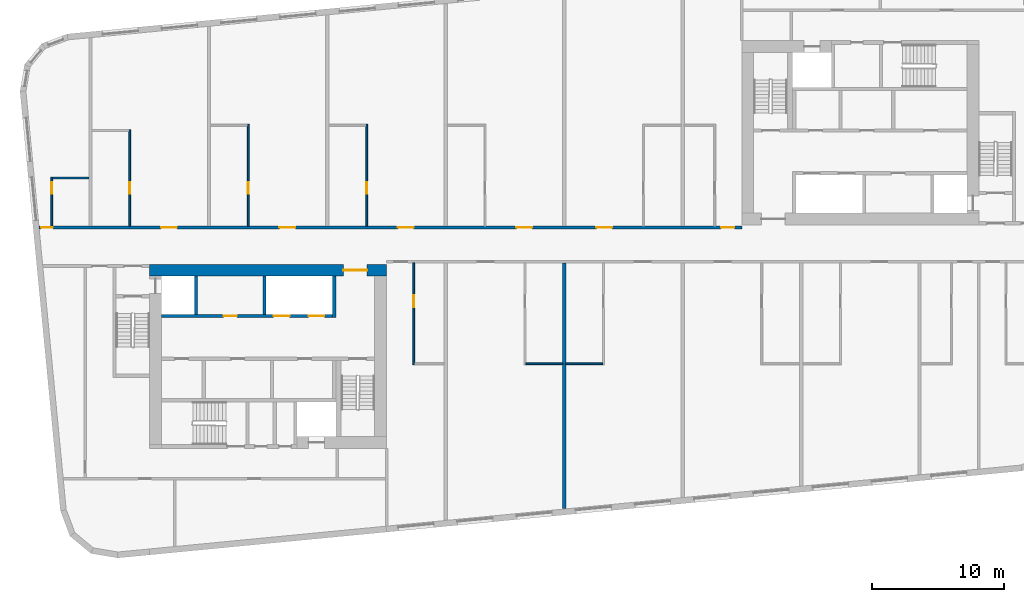
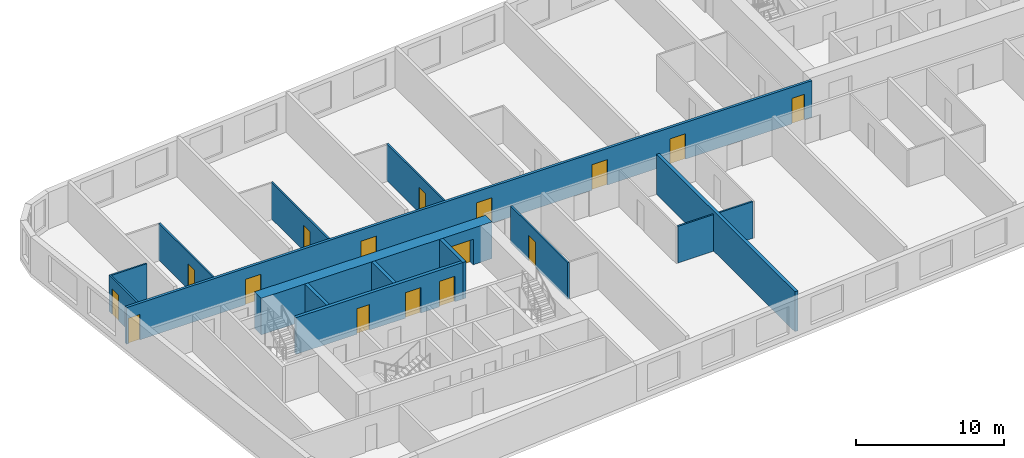
# One storey, part 3 of 11: 16 doors, 15 walls, 16 openings.
"""IFC4 building model written with IfcOpenShell, lengths in metres."""

from ifc_helpers import new_model, si_unit, direction, frame, frame_2d, origin, place, context, subcontext, project, spatial, rectangle, extrude, material, layer, layer_set, type_object, element, fill, save


model = new_model("IFC4")

# Units and contexts
model_context = context("Model", 3, precision=1e-05, world=origin(), true_north=direction((0.0, 1.0)))
body_context = subcontext(model_context, "Body", "Model", "MODEL_VIEW")
ifc_project = project(units=[si_unit("LENGTHUNIT", "METRE"), si_unit("AREAUNIT", "SQUARE_METRE"), si_unit("VOLUMEUNIT", "CUBIC_METRE"), si_unit("PLANEANGLEUNIT", "RADIAN"), si_unit("MASSUNIT", "GRAM", prefix="KILO")], contexts=[model_context])

# Site, building, storey
site_placement = place(None, origin())
site = spatial("IfcSite", under=ifc_project, at=site_placement, CompositionType="ELEMENT")
building_placement = place(site_placement, origin())
building = spatial("IfcBuilding", under=site, at=building_placement, Name="Kajstack Hotel Tower", CompositionType="ELEMENT")
storey_placement = place(building_placement, frame((0.0, 0.0, 275.10009765625)))
storey = spatial("IfcBuildingStorey", under=building, at=storey_placement, Name="L68", CompositionType="ELEMENT", Elevation=275.10009765625)

# Wall, opening, door
ifc_material_1 = material(Name="Concrete C60/75", Category="concrete")
ifc_layer_1 = layer(ifc_material_1, 0.89990234375)
ifc_layer_set_1 = layer_set([ifc_layer_1], Name="Core wall 900")
wall_type_1 = type_object("IfcWallType", Name="Core wall 900", PredefinedType="SHEAR", material=ifc_layer_set_1)
wall_1_placement = place(storey_placement, frame((-31.5, -1.949951171875, 0.0), z_axis=(0.0, 0.0, 1.0), x_axis=(1.0, 0.0, 0.0)))
wall_1 = element("IfcWall", 1, at=wall_1_placement, inside=storey, type_object=wall_type_1, Name="Core wall W RN", PredefinedType="SHEAR", context=body_context, shape_type="SweptSolid", body=[
    extrude(rectangle(XDim=18.0, YDim=0.89990234375, at=frame_2d((9.0, 0.0))), origin(), (0.0, 0.0, 1.0), 3.02001953125),
])
opening_1_placement = place(wall_1_placement, frame((14.72509765625, 0.0, 0.0)))
opening_1 = element("IfcOpeningElement", 2, at=opening_1_placement, cuts=wall_1, Name="Opening 68W05", PredefinedType="OPENING", context=body_context, shape_type="SweptSolid", body=[
    extrude(rectangle(XDim=1.800048828125, YDim=2.10009765625, at=frame_2d((0.89990234375, 1.050048828125))), frame((0.0, 0.4599609375, 0.0), z_axis=(0.0, -1.0, 0.0), x_axis=(1.0, 0.0, 0.0)), (0.0, 0.0, 1.0), 0.919921875),
])
ifc_material_2 = material(Name="Glazed steel frame, fire-rated glass", Category="steel")
door_type_1 = type_object("IfcDoorType", Name="Lobby double door 1800", OperationType="DOUBLE_DOOR_DOUBLE_SWING", PredefinedType="DOOR", material=ifc_material_2)
door_1_placement = place(opening_1_placement, origin())
door_1 = element("IfcDoor", 3, at=door_1_placement, inside=storey, type_object=door_type_1, Name="Door 68W05", OperationType="DOUBLE_DOOR_DOUBLE_SWING", OverallHeight=2.10009765625, OverallWidth=1.800048828125, PredefinedType="DOOR", context=body_context, shape_type="SweptSolid", body=[
    extrude(rectangle(XDim=1.800048828125, YDim=2.10009765625, at=frame_2d((0.89990234375, 1.050048828125))), frame((0.0, 0.02490234375, 0.0), z_axis=(0.0, -1.0, 0.0), x_axis=(1.0, 0.0, 0.0)), (0.0, 0.0, 1.0), 0.050048828125),
])
fill(opening_1, door_1)

# Wall, openings, doors
ifc_material_3 = material(Name="Gypsum board on steel studs, mineral wool", Category="steel")
ifc_layer_2 = layer(ifc_material_3, 0.199951171875)
ifc_layer_set_2 = layer_set([ifc_layer_2], Name="Corridor wall 200")
wall_type_2 = type_object("IfcWallType", Name="Corridor wall 200", PredefinedType="PARTITIONING", material=ifc_layer_set_2)
wall_2_placement = place(storey_placement, frame((-39.908935546875, 1.300048828125, 0.0), z_axis=(0.0, 0.0, 1.0), x_axis=(1.0, 0.0, 0.0)))
wall_2 = element("IfcWall", 4, at=wall_2_placement, inside=storey, type_object=wall_type_2, Name="G-wall-L68-003", PredefinedType="PARTITIONING", context=body_context, shape_type="SweptSolid", body=[
    extrude(rectangle(XDim=53.408935546875, YDim=0.199951171875, at=frame_2d((26.70458984375, 0.0))), origin(), (0.0, 0.0, 1.0), 3.02001953125),
])
opening_2_placement = place(wall_2_placement, frame((0.14990234375, 0.0, 0.0)))
opening_2 = element("IfcOpeningElement", 5, at=opening_2_placement, cuts=wall_2, Name="Opening 68001", PredefinedType="OPENING", context=body_context, shape_type="SweptSolid", body=[
    extrude(rectangle(XDim=0.89990234375, YDim=2.10009765625, at=frame_2d((0.449951171875, 1.050048828125))), frame((0.0, 0.10986328125, 0.0), z_axis=(0.0, -1.0, 0.0), x_axis=(1.0, 0.0, 0.0)), (0.0, 0.0, 1.0), 0.219970703125),
])
opening_3_placement = place(wall_2_placement, frame((9.27099609375, 0.0, 0.0)))
opening_3 = element("IfcOpeningElement", 6, at=opening_3_placement, cuts=wall_2, Name="Opening 68003", PredefinedType="OPENING", context=body_context, shape_type="SweptSolid", body=[
    extrude(rectangle(XDim=1.199951171875, YDim=2.10009765625, at=frame_2d((0.60009765625, 1.050048828125))), frame((0.0, 0.10986328125, 0.0), z_axis=(0.0, -1.0, 0.0), x_axis=(1.0, 0.0, 0.0)), (0.0, 0.0, 1.0), 0.219970703125),
])
opening_4_placement = place(wall_2_placement, frame((18.27099609375, 0.0, 0.0)))
opening_4 = element("IfcOpeningElement", 7, at=opening_4_placement, cuts=wall_2, Name="Opening 68005", PredefinedType="OPENING", context=body_context, shape_type="SweptSolid", body=[
    extrude(rectangle(XDim=1.199951171875, YDim=2.10009765625, at=frame_2d((0.60009765625, 1.050048828125))), frame((0.0, 0.10986328125, 0.0), z_axis=(0.0, -1.0, 0.0), x_axis=(1.0, 0.0, 0.0)), (0.0, 0.0, 1.0), 0.219970703125),
])
opening_5_placement = place(wall_2_placement, frame((27.27099609375, 0.0, 0.0)))
opening_5 = element("IfcOpeningElement", 8, at=opening_5_placement, cuts=wall_2, Name="Opening 68007", PredefinedType="OPENING", context=body_context, shape_type="SweptSolid", body=[
    extrude(rectangle(XDim=1.199951171875, YDim=2.10009765625, at=frame_2d((0.60009765625, 1.050048828125))), frame((0.0, 0.10986328125, 0.0), z_axis=(0.0, -1.0, 0.0), x_axis=(1.0, 0.0, 0.0)), (0.0, 0.0, 1.0), 0.219970703125),
])
opening_6_placement = place(wall_2_placement, frame((36.27099609375, 0.0, 0.0)))
opening_6 = element("IfcOpeningElement", 9, at=opening_6_placement, cuts=wall_2, Name="Opening 68009", PredefinedType="OPENING", context=body_context, shape_type="SweptSolid", body=[
    extrude(rectangle(XDim=1.199951171875, YDim=2.10009765625, at=frame_2d((0.60009765625, 1.050048828125))), frame((0.0, 0.10986328125, 0.0), z_axis=(0.0, -1.0, 0.0), x_axis=(1.0, 0.0, 0.0)), (0.0, 0.0, 1.0), 0.219970703125),
])
opening_7_placement = place(wall_2_placement, frame((42.345947265625, 0.0, 0.0)))
opening_7 = element("IfcOpeningElement", 10, at=opening_7_placement, cuts=wall_2, Name="Opening 68011", PredefinedType="OPENING", context=body_context, shape_type="SweptSolid", body=[
    extrude(rectangle(XDim=1.199951171875, YDim=2.10009765625, at=frame_2d((0.60009765625, 1.050048828125))), frame((0.0, 0.10986328125, 0.0), z_axis=(0.0, -1.0, 0.0), x_axis=(1.0, 0.0, 0.0)), (0.0, 0.0, 1.0), 0.219970703125),
])
opening_8_placement = place(wall_2_placement, frame((51.833984375, 0.0, 0.0)))
opening_8 = element("IfcOpeningElement", 11, at=opening_8_placement, cuts=wall_2, Name="Opening 68013", PredefinedType="OPENING", context=body_context, shape_type="SweptSolid", body=[
    extrude(rectangle(XDim=1.0, YDim=2.10009765625, at=frame_2d((0.5, 1.050048828125))), frame((0.0, 0.10986328125, 0.0), z_axis=(0.0, -1.0, 0.0), x_axis=(1.0, 0.0, 0.0)), (0.0, 0.0, 1.0), 0.219970703125),
])
ifc_material_4 = material(Name="Oak veneer on timber core, fire-rated leaf", Category="wood")
door_type_2 = type_object("IfcDoorType", Name="Flat entrance door 1000", OperationType="SINGLE_SWING_LEFT", PredefinedType="DOOR", material=ifc_material_4)
door_2_placement = place(opening_8_placement, origin())
door_2 = element("IfcDoor", 12, at=door_2_placement, inside=storey, type_object=door_type_2, Name="G-door-L68-13", OperationType="SINGLE_SWING_LEFT", OverallHeight=2.10009765625, OverallWidth=1.0, PredefinedType="DOOR", context=body_context, shape_type="SweptSolid", body=[
    extrude(rectangle(XDim=1.0, YDim=2.10009765625, at=frame_2d((0.5, 1.050048828125))), frame((0.0, 0.02490234375, 0.0), z_axis=(0.0, -1.0, 0.0), x_axis=(1.0, 0.0, 0.0)), (0.0, 0.0, 1.0), 0.050048828125),
])
fill(opening_8, door_2)
door_type_3 = type_object("IfcDoorType", Name="Flat entrance door 1200", OperationType="SINGLE_SWING_LEFT", PredefinedType="DOOR", material=ifc_material_4)
door_3_placement = place(opening_3_placement, origin())
door_3 = element("IfcDoor", 13, at=door_3_placement, inside=storey, type_object=door_type_3, Name="G-door-L68-03", OperationType="SINGLE_SWING_RIGHT", OverallHeight=2.10009765625, OverallWidth=1.199951171875, PredefinedType="DOOR", context=body_context, shape_type="SweptSolid", body=[
    extrude(rectangle(XDim=1.199951171875, YDim=2.10009765625, at=frame_2d((0.60009765625, 1.050048828125))), frame((0.0, 0.02490234375, 0.0), z_axis=(0.0, -1.0, 0.0), x_axis=(1.0, 0.0, 0.0)), (0.0, 0.0, 1.0), 0.050048828125),
])
fill(opening_3, door_3)
door_4_placement = place(opening_4_placement, origin())
door_4 = element("IfcDoor", 14, at=door_4_placement, inside=storey, type_object=door_type_3, Name="G-door-L68-05", OperationType="SINGLE_SWING_LEFT", OverallHeight=2.10009765625, OverallWidth=1.199951171875, PredefinedType="DOOR", context=body_context, shape_type="SweptSolid", body=[
    extrude(rectangle(XDim=1.199951171875, YDim=2.10009765625, at=frame_2d((0.60009765625, 1.050048828125))), frame((0.0, 0.02490234375, 0.0), z_axis=(0.0, -1.0, 0.0), x_axis=(1.0, 0.0, 0.0)), (0.0, 0.0, 1.0), 0.050048828125),
])
fill(opening_4, door_4)
door_5_placement = place(opening_5_placement, origin())
door_5 = element("IfcDoor", 15, at=door_5_placement, inside=storey, type_object=door_type_3, Name="G-door-L68-07", OperationType="SINGLE_SWING_RIGHT", OverallHeight=2.10009765625, OverallWidth=1.199951171875, PredefinedType="DOOR", context=body_context, shape_type="SweptSolid", body=[
    extrude(rectangle(XDim=1.199951171875, YDim=2.10009765625, at=frame_2d((0.60009765625, 1.050048828125))), frame((0.0, 0.02490234375, 0.0), z_axis=(0.0, -1.0, 0.0), x_axis=(1.0, 0.0, 0.0)), (0.0, 0.0, 1.0), 0.050048828125),
])
fill(opening_5, door_5)
door_6_placement = place(opening_6_placement, origin())
door_6 = element("IfcDoor", 16, at=door_6_placement, inside=storey, type_object=door_type_3, Name="G-door-L68-09", OperationType="SINGLE_SWING_RIGHT", OverallHeight=2.10009765625, OverallWidth=1.199951171875, PredefinedType="DOOR", context=body_context, shape_type="SweptSolid", body=[
    extrude(rectangle(XDim=1.199951171875, YDim=2.10009765625, at=frame_2d((0.60009765625, 1.050048828125))), frame((0.0, 0.02490234375, 0.0), z_axis=(0.0, -1.0, 0.0), x_axis=(1.0, 0.0, 0.0)), (0.0, 0.0, 1.0), 0.050048828125),
])
fill(opening_6, door_6)
door_7_placement = place(opening_7_placement, origin())
door_7 = element("IfcDoor", 17, at=door_7_placement, inside=storey, type_object=door_type_3, Name="G-door-L68-11", OperationType="SINGLE_SWING_LEFT", OverallHeight=2.10009765625, OverallWidth=1.199951171875, PredefinedType="DOOR", context=body_context, shape_type="SweptSolid", body=[
    extrude(rectangle(XDim=1.199951171875, YDim=2.10009765625, at=frame_2d((0.60009765625, 1.050048828125))), frame((0.0, 0.02490234375, 0.0), z_axis=(0.0, -1.0, 0.0), x_axis=(1.0, 0.0, 0.0)), (0.0, 0.0, 1.0), 0.050048828125),
])
fill(opening_7, door_7)
ifc_material_5 = material(Name="Painted timber door leaf", Category="wood")
door_type_4 = type_object("IfcDoorType", Name="Room door 900", OperationType="SINGLE_SWING_LEFT", PredefinedType="DOOR", material=ifc_material_5)
door_8_placement = place(opening_2_placement, origin())
door_8 = element("IfcDoor", 18, at=door_8_placement, inside=storey, type_object=door_type_4, Name="G-door-L68-01", OperationType="SINGLE_SWING_RIGHT", OverallHeight=2.10009765625, OverallWidth=0.89990234375, PredefinedType="DOOR", context=body_context, shape_type="SweptSolid", body=[
    extrude(rectangle(XDim=0.89990234375, YDim=2.10009765625, at=frame_2d((0.449951171875, 1.050048828125))), frame((0.0, 0.02490234375, 0.0), z_axis=(0.0, -1.0, 0.0), x_axis=(1.0, 0.0, 0.0)), (0.0, 0.0, 1.0), 0.050048828125),
])
fill(opening_2, door_8)

# Wall, opening, door
ifc_material_6 = material(Name="Gypsum board and tiled backer on steel studs", Category="steel")
ifc_layer_3 = layer(ifc_material_6, 0.125)
ifc_layer_set_3 = layer_set([ifc_layer_3], Name="En-suite wall 125")
wall_type_3 = type_object("IfcWallType", Name="En-suite wall 125", PredefinedType="PARTITIONING", material=ifc_layer_set_3)
wall_3_placement = place(storey_placement, frame((-38.93994140625, 1.39990234375, 0.0), z_axis=(0.0, 0.0, 1.0), x_axis=(0.0, 1.0, 0.0)))
wall_3 = element("IfcWall", 19, at=wall_3_placement, inside=storey, type_object=wall_type_3, Name="G-wall-L68-004", PredefinedType="PARTITIONING", context=body_context, shape_type="SweptSolid", body=[
    extrude(rectangle(XDim=3.72509765625, YDim=0.125, at=frame_2d((1.862548828125, 0.0))), origin(), (0.0, 0.0, 1.0), 3.02001953125),
])
opening_9_placement = place(wall_3_placement, frame((2.449951171875, 0.0, 0.0)))
opening_9 = element("IfcOpeningElement", 20, at=opening_9_placement, cuts=wall_3, Name="Opening 68002", PredefinedType="OPENING", context=body_context, shape_type="SweptSolid", body=[
    extrude(rectangle(XDim=0.89990234375, YDim=2.10009765625, at=frame_2d((0.449951171875, 1.050048828125))), frame((0.0, 0.072509765625, 0.0), z_axis=(0.0, -1.0, 0.0), x_axis=(1.0, 0.0, 0.0)), (0.0, 0.0, 1.0), 0.14501953125),
])
door_9_placement = place(opening_9_placement, origin())
door_9 = element("IfcDoor", 21, at=door_9_placement, inside=storey, type_object=door_type_4, Name="G-door-L68-02", OperationType="SINGLE_SWING_RIGHT", OverallHeight=2.10009765625, OverallWidth=0.89990234375, PredefinedType="DOOR", context=body_context, shape_type="SweptSolid", body=[
    extrude(rectangle(XDim=0.89990234375, YDim=2.10009765625, at=frame_2d((0.449951171875, 1.050048828125))), frame((0.0, 0.02490234375, 0.0), z_axis=(0.0, -1.0, 0.0), x_axis=(1.0, 0.0, 0.0)), (0.0, 0.0, 1.0), 0.050048828125),
])
fill(opening_9, door_9)

# Wall
wall_4_placement = place(storey_placement, frame((-38.8779296875, 5.06201171875, 0.0), z_axis=(0.0, 0.0, 1.0), x_axis=(1.0, 0.0, 0.0)))
element("IfcWall", 22, at=wall_4_placement, inside=storey, type_object=wall_type_3, Name="G-wall-L68-005", PredefinedType="PARTITIONING", context=body_context, shape_type="SweptSolid", body=[
    extrude(rectangle(XDim=2.7529296875, YDim=0.125, at=frame_2d((1.37646484375, 0.0))), origin(), (0.0, 0.0, 1.0), 3.02001953125),
])

# Wall, opening, door
wall_5_placement = place(storey_placement, frame((-33.012939453125, 1.39990234375, 0.0), z_axis=(0.0, 0.0, 1.0), x_axis=(0.0, 1.0, 0.0)))
wall_5 = element("IfcWall", 23, at=wall_5_placement, inside=storey, type_object=wall_type_3, Name="G-wall-L68-006", PredefinedType="PARTITIONING", context=body_context, shape_type="SweptSolid", body=[
    extrude(rectangle(XDim=7.330078125, YDim=0.125, at=frame_2d((3.6650390625, 0.0))), origin(), (0.0, 0.0, 1.0), 3.02001953125),
])
opening_10_placement = place(wall_5_placement, frame((2.449951171875, 0.0, 0.0)))
opening_10 = element("IfcOpeningElement", 24, at=opening_10_placement, cuts=wall_5, Name="Opening 68004", PredefinedType="OPENING", context=body_context, shape_type="SweptSolid", body=[
    extrude(rectangle(XDim=0.89990234375, YDim=2.10009765625, at=frame_2d((0.449951171875, 1.050048828125))), frame((0.0, 0.072509765625, 0.0), z_axis=(0.0, -1.0, 0.0), x_axis=(1.0, 0.0, 0.0)), (0.0, 0.0, 1.0), 0.14501953125),
])
door_10_placement = place(opening_10_placement, origin())
door_10 = element("IfcDoor", 25, at=door_10_placement, inside=storey, type_object=door_type_4, Name="G-door-L68-04", OperationType="SINGLE_SWING_LEFT", OverallHeight=2.10009765625, OverallWidth=0.89990234375, PredefinedType="DOOR", context=body_context, shape_type="SweptSolid", body=[
    extrude(rectangle(XDim=0.89990234375, YDim=2.10009765625, at=frame_2d((0.449951171875, 1.050048828125))), frame((0.0, 0.02490234375, 0.0), z_axis=(0.0, -1.0, 0.0), x_axis=(1.0, 0.0, 0.0)), (0.0, 0.0, 1.0), 0.050048828125),
])
fill(opening_10, door_10)

wall_6_placement = place(storey_placement, frame((-24.011962890625, 1.39990234375, 0.0), z_axis=(0.0, 0.0, 1.0), x_axis=(0.0, 1.0, 0.0)))
wall_6 = element("IfcWall", 26, at=wall_6_placement, inside=storey, type_object=wall_type_3, Name="G-wall-L68-008", PredefinedType="PARTITIONING", context=body_context, shape_type="SweptSolid", body=[
    extrude(rectangle(XDim=7.72509765625, YDim=0.125, at=frame_2d((3.862548828125, 0.0))), origin(), (0.0, 0.0, 1.0), 3.02001953125),
])
opening_11_placement = place(wall_6_placement, frame((2.449951171875, 0.0, 0.0)))
opening_11 = element("IfcOpeningElement", 27, at=opening_11_placement, cuts=wall_6, Name="Opening 68006", PredefinedType="OPENING", context=body_context, shape_type="SweptSolid", body=[
    extrude(rectangle(XDim=0.89990234375, YDim=2.10009765625, at=frame_2d((0.449951171875, 1.050048828125))), frame((0.0, 0.072509765625, 0.0), z_axis=(0.0, -1.0, 0.0), x_axis=(1.0, 0.0, 0.0)), (0.0, 0.0, 1.0), 0.14501953125),
])
door_11_placement = place(opening_11_placement, origin())
door_11 = element("IfcDoor", 28, at=door_11_placement, inside=storey, type_object=door_type_4, Name="G-door-L68-06", OperationType="SINGLE_SWING_LEFT", OverallHeight=2.10009765625, OverallWidth=0.89990234375, PredefinedType="DOOR", context=body_context, shape_type="SweptSolid", body=[
    extrude(rectangle(XDim=0.89990234375, YDim=2.10009765625, at=frame_2d((0.449951171875, 1.050048828125))), frame((0.0, 0.02490234375, 0.0), z_axis=(0.0, -1.0, 0.0), x_axis=(1.0, 0.0, 0.0)), (0.0, 0.0, 1.0), 0.050048828125),
])
fill(opening_11, door_11)

wall_7_placement = place(storey_placement, frame((-15.011962890625, 1.39990234375, 0.0), z_axis=(0.0, 0.0, 1.0), x_axis=(0.0, 1.0, 0.0)))
wall_7 = element("IfcWall", 29, at=wall_7_placement, inside=storey, type_object=wall_type_3, Name="G-wall-L68-010", PredefinedType="PARTITIONING", context=body_context, shape_type="SweptSolid", body=[
    extrude(rectangle(XDim=7.72509765625, YDim=0.125, at=frame_2d((3.862548828125, 0.0))), origin(), (0.0, 0.0, 1.0), 3.02001953125),
])
opening_12_placement = place(wall_7_placement, frame((2.449951171875, 0.0, 0.0)))
opening_12 = element("IfcOpeningElement", 30, at=opening_12_placement, cuts=wall_7, Name="Opening 68008", PredefinedType="OPENING", context=body_context, shape_type="SweptSolid", body=[
    extrude(rectangle(XDim=0.89990234375, YDim=2.10009765625, at=frame_2d((0.449951171875, 1.050048828125))), frame((0.0, 0.072509765625, 0.0), z_axis=(0.0, -1.0, 0.0), x_axis=(1.0, 0.0, 0.0)), (0.0, 0.0, 1.0), 0.14501953125),
])
door_12_placement = place(opening_12_placement, origin())
door_12 = element("IfcDoor", 31, at=door_12_placement, inside=storey, type_object=door_type_4, Name="G-door-L68-08", OperationType="SINGLE_SWING_RIGHT", OverallHeight=2.10009765625, OverallWidth=0.89990234375, PredefinedType="DOOR", context=body_context, shape_type="SweptSolid", body=[
    extrude(rectangle(XDim=0.89990234375, YDim=2.10009765625, at=frame_2d((0.449951171875, 1.050048828125))), frame((0.0, 0.02490234375, 0.0), z_axis=(0.0, -1.0, 0.0), x_axis=(1.0, 0.0, 0.0)), (0.0, 0.0, 1.0), 0.050048828125),
])
fill(opening_12, door_12)

wall_8_placement = place(storey_placement, frame((-11.43798828125, -9.125, 0.0), z_axis=(0.0, 0.0, 1.0), x_axis=(0.0, 1.0, 0.0)))
wall_8 = element("IfcWall", 32, at=wall_8_placement, inside=storey, type_object=wall_type_3, Name="G-wall-L68-019", PredefinedType="PARTITIONING", context=body_context, shape_type="SweptSolid", body=[
    extrude(rectangle(XDim=7.72509765625, YDim=0.125, at=frame_2d((3.862548828125, 0.0))), origin(), (0.0, 0.0, 1.0), 3.02001953125),
])
opening_13_placement = place(wall_8_placement, frame((4.375, 0.0, 0.0)))
opening_13 = element("IfcOpeningElement", 33, at=opening_13_placement, cuts=wall_8, Name="Opening 68016", PredefinedType="OPENING", context=body_context, shape_type="SweptSolid", body=[
    extrude(rectangle(XDim=0.89990234375, YDim=2.10009765625, at=frame_2d((0.449951171875, 1.050048828125))), frame((0.0, 0.072509765625, 0.0), z_axis=(0.0, -1.0, 0.0), x_axis=(1.0, 0.0, 0.0)), (0.0, 0.0, 1.0), 0.14501953125),
])
door_13_placement = place(opening_13_placement, origin())
door_13 = element("IfcDoor", 34, at=door_13_placement, inside=storey, type_object=door_type_4, Name="G-door-L68-16", OperationType="SINGLE_SWING_RIGHT", OverallHeight=2.10009765625, OverallWidth=0.89990234375, PredefinedType="DOOR", context=body_context, shape_type="SweptSolid", body=[
    extrude(rectangle(XDim=0.89990234375, YDim=2.10009765625, at=frame_2d((0.449951171875, 1.050048828125))), frame((0.0, 0.02490234375, 0.0), z_axis=(0.0, -1.0, 0.0), x_axis=(1.0, 0.0, 0.0)), (0.0, 0.0, 1.0), 0.050048828125),
])
fill(opening_13, door_13)

# Walls
for number, where, z_axis, x_axis, name in (
    (35, (-2.925048828125, -9.06201171875, 0.0), (0.0, 0.0, 1.0), (1.0, 0.0, 0.0), "G-wall-L68-022"),
    (36, (0.125, -9.06201171875, 0.0), (0.0, 0.0, 1.0), (1.0, 0.0, 0.0), "G-wall-L68-024"),
):
    element("IfcWall", number, at=place(storey_placement, frame(where, z_axis=z_axis, x_axis=x_axis)), inside=storey, type_object=wall_type_3, Name=name, PredefinedType="PARTITIONING", context=body_context, shape_type="SweptSolid", body=[
        extrude(rectangle(XDim=2.800048828125, YDim=0.125, at=frame_2d((1.39990234375, 0.0))), origin(), (0.0, 0.0, 1.0), 3.02001953125),
    ])
ifc_material_7 = material(Name="Concrete C50/60", Category="concrete")
ifc_layer_4 = layer(ifc_material_7, 0.300048828125)
ifc_layer_set_4 = layer_set([ifc_layer_4], Name="Hoistway divider wall 300")
wall_type_4 = type_object("IfcWallType", Name="Hoistway divider wall 300", PredefinedType="SHEAR", material=ifc_layer_set_4)
wall_9_placement = place(storey_placement, frame((-22.77490234375, -5.300048828125, 0.0), z_axis=(0.0, 0.0, 1.0), x_axis=(0.0, 1.0, 0.0)))
element("IfcWall", 37, at=wall_9_placement, inside=storey, type_object=wall_type_4, Name="Core wall W AP2", PredefinedType="SHEAR", context=body_context, shape_type="SweptSolid", body=[
    extrude(rectangle(XDim=2.900146484375, YDim=0.25, at=frame_2d((1.4501953125, 0.0))), origin(), (0.0, 0.0, 1.0), 3.02001953125),
])
ifc_material_8 = material(Name="Concrete C40/50", Category="concrete")
ifc_layer_5 = layer(ifc_material_8, 0.25)
ifc_layer_set_5 = layer_set([ifc_layer_5], Name="RC cross wall 250 C40/50")
wall_type_5 = type_object("IfcWallType", Name="RC cross wall 250 C40/50", PredefinedType="SHEAR", material=ifc_layer_set_5)
wall_10_placement = place(storey_placement, frame((0.0, -20.073974609375, 0.0), z_axis=(0.0, 0.0, 1.0), x_axis=(0.0, 1.0, 0.0)))
element("IfcWall", 38, at=wall_10_placement, inside=storey, type_object=wall_type_5, Name="S-wall-L68-06", PredefinedType="SHEAR", context=body_context, shape_type="SweptSolid", body=[
    extrude(rectangle(XDim=18.674072265625, YDim=0.25, at=frame_2d((9.3369140625, 0.0))), origin(), (0.0, 0.0, 1.0), 3.2998046875),
])

# Wall, openings, doors
ifc_layer_6 = layer(ifc_material_7, 0.25)
ifc_layer_set_6 = layer_set([ifc_layer_6], Name="Shaft wall 250")
wall_type_6 = type_object("IfcWallType", Name="Shaft wall 250", PredefinedType="SHEAR", material=ifc_layer_set_6)
wall_11_placement = place(storey_placement, frame((-30.60009765625, -5.425048828125, 0.0), z_axis=(0.0, 0.0, 1.0), x_axis=(1.0, 0.0, 0.0)))
wall_11 = element("IfcWall", 39, at=wall_11_placement, inside=storey, type_object=wall_type_6, Name="Core wall W FA", PredefinedType="SHEAR", context=body_context, shape_type="SweptSolid", body=[
    extrude(rectangle(XDim=13.0, YDim=0.25, at=frame_2d((6.5, 0.0))), origin(), (0.0, 0.0, 1.0), 3.02001953125),
])
opening_14_placement = place(wall_11_placement, frame((8.52490234375, 0.0, 0.0)))
opening_14 = element("IfcOpeningElement", 40, at=opening_14_placement, cuts=wall_11, Name="Opening LD-HR1", PredefinedType="OPENING", context=body_context, shape_type="SweptSolid", body=[
    extrude(rectangle(XDim=1.199951171875, YDim=2.10009765625, at=frame_2d((0.60009765625, 1.050048828125))), frame((0.0, 0.135009765625, 0.0), z_axis=(0.0, -1.0, 0.0), x_axis=(1.0, 0.0, 0.0)), (0.0, 0.0, 1.0), 0.27001953125),
])
opening_15_placement = place(wall_11_placement, frame((11.175048828125, 0.0, 0.0)))
opening_15 = element("IfcOpeningElement", 41, at=opening_15_placement, cuts=wall_11, Name="Opening LD-HR2", PredefinedType="OPENING", context=body_context, shape_type="SweptSolid", body=[
    extrude(rectangle(XDim=1.199951171875, YDim=2.10009765625, at=frame_2d((0.60009765625, 1.050048828125))), frame((0.0, 0.135009765625, 0.0), z_axis=(0.0, -1.0, 0.0), x_axis=(1.0, 0.0, 0.0)), (0.0, 0.0, 1.0), 0.27001953125),
])
opening_16_placement = place(wall_11_placement, frame((4.72509765625, 0.0, 0.0)))
opening_16 = element("IfcOpeningElement", 42, at=opening_16_placement, cuts=wall_11, Name="Opening 68W16", PredefinedType="OPENING", context=body_context, shape_type="SweptSolid", body=[
    extrude(rectangle(XDim=1.0, YDim=2.10009765625, at=frame_2d((0.5, 1.050048828125))), frame((0.0, 0.135009765625, 0.0), z_axis=(0.0, -1.0, 0.0), x_axis=(1.0, 0.0, 0.0)), (0.0, 0.0, 1.0), 0.27001953125),
])
ifc_material_9 = material(Name="Stainless steel", Category="steel")
door_type_5 = type_object("IfcDoorType", Name="Lift landing door 1200", OperationType="SLIDING_TO_LEFT", PredefinedType="DOOR", material=ifc_material_9)
door_14_placement = place(opening_14_placement, origin())
door_14 = element("IfcDoor", 43, at=door_14_placement, inside=storey, type_object=door_type_5, Name="Landing door HR1", OperationType="SLIDING_TO_LEFT", OverallHeight=2.10009765625, OverallWidth=1.199951171875, PredefinedType="DOOR", context=body_context, shape_type="SweptSolid", body=[
    extrude(rectangle(XDim=1.199951171875, YDim=2.10009765625, at=frame_2d((0.60009765625, 1.050048828125))), frame((0.0, 0.02490234375, 0.0), z_axis=(0.0, -1.0, 0.0), x_axis=(1.0, 0.0, 0.0)), (0.0, 0.0, 1.0), 0.050048828125),
])
fill(opening_14, door_14)
door_15_placement = place(opening_15_placement, origin())
door_15 = element("IfcDoor", 44, at=door_15_placement, inside=storey, type_object=door_type_5, Name="Landing door HR2", OperationType="SLIDING_TO_RIGHT", OverallHeight=2.10009765625, OverallWidth=1.199951171875, PredefinedType="DOOR", context=body_context, shape_type="SweptSolid", body=[
    extrude(rectangle(XDim=1.199951171875, YDim=2.10009765625, at=frame_2d((0.60009765625, 1.050048828125))), frame((0.0, 0.02490234375, 0.0), z_axis=(0.0, -1.0, 0.0), x_axis=(1.0, 0.0, 0.0)), (0.0, 0.0, 1.0), 0.050048828125),
])
fill(opening_15, door_15)
ifc_material_10 = material(Name="Timber leaf, fire-rated", Category="wood")
door_type_6 = type_object("IfcDoorType", Name="Service room door 1000", OperationType="SINGLE_SWING_LEFT", PredefinedType="DOOR", material=ifc_material_10)
door_16_placement = place(opening_16_placement, origin())
door_16 = element("IfcDoor", 45, at=door_16_placement, inside=storey, type_object=door_type_6, Name="Door 68W16", OperationType="SINGLE_SWING_RIGHT", OverallHeight=2.10009765625, OverallWidth=1.0, PredefinedType="DOOR", context=body_context, shape_type="SweptSolid", body=[
    extrude(rectangle(XDim=1.0, YDim=2.10009765625, at=frame_2d((0.5, 1.050048828125))), frame((0.0, 0.02490234375, 0.0), z_axis=(0.0, -1.0, 0.0), x_axis=(1.0, 0.0, 0.0)), (0.0, 0.0, 1.0), 0.050048828125),
])
fill(opening_16, door_16)

# Walls
wall_12_placement = place(storey_placement, frame((-17.47509765625, -5.550048828125, 0.0), z_axis=(0.0, 0.0, 1.0), x_axis=(0.0, 1.0, 0.0)))
element("IfcWall", 46, at=wall_12_placement, inside=storey, type_object=wall_type_6, Name="Core wall W AE", PredefinedType="SHEAR", context=body_context, shape_type="SweptSolid", body=[
    extrude(rectangle(XDim=3.150146484375, YDim=0.25, at=frame_2d((1.5751953125, 0.0))), origin(), (0.0, 0.0, 1.0), 3.02001953125),
])
wall_13_placement = place(storey_placement, frame((-27.97509765625, -5.300048828125, 0.0), z_axis=(0.0, 0.0, 1.0), x_axis=(0.0, 1.0, 0.0)))
element("IfcWall", 47, at=wall_13_placement, inside=storey, type_object=wall_type_6, Name="Core wall W AP0", PredefinedType="SHEAR", context=body_context, shape_type="SweptSolid", body=[
    extrude(rectangle(XDim=2.900146484375, YDim=0.25, at=frame_2d((1.4501953125, 0.0))), origin(), (0.0, 0.0, 1.0), 3.02001953125),
])

save(model, "model.ifc")
